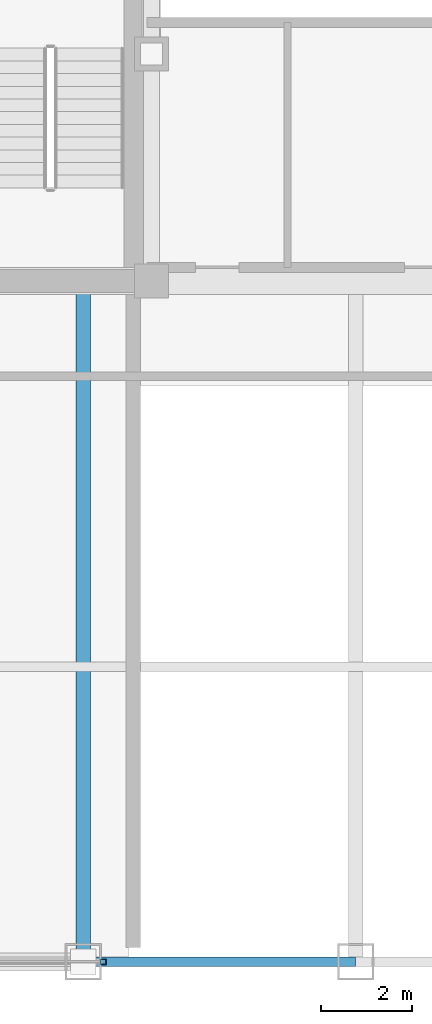
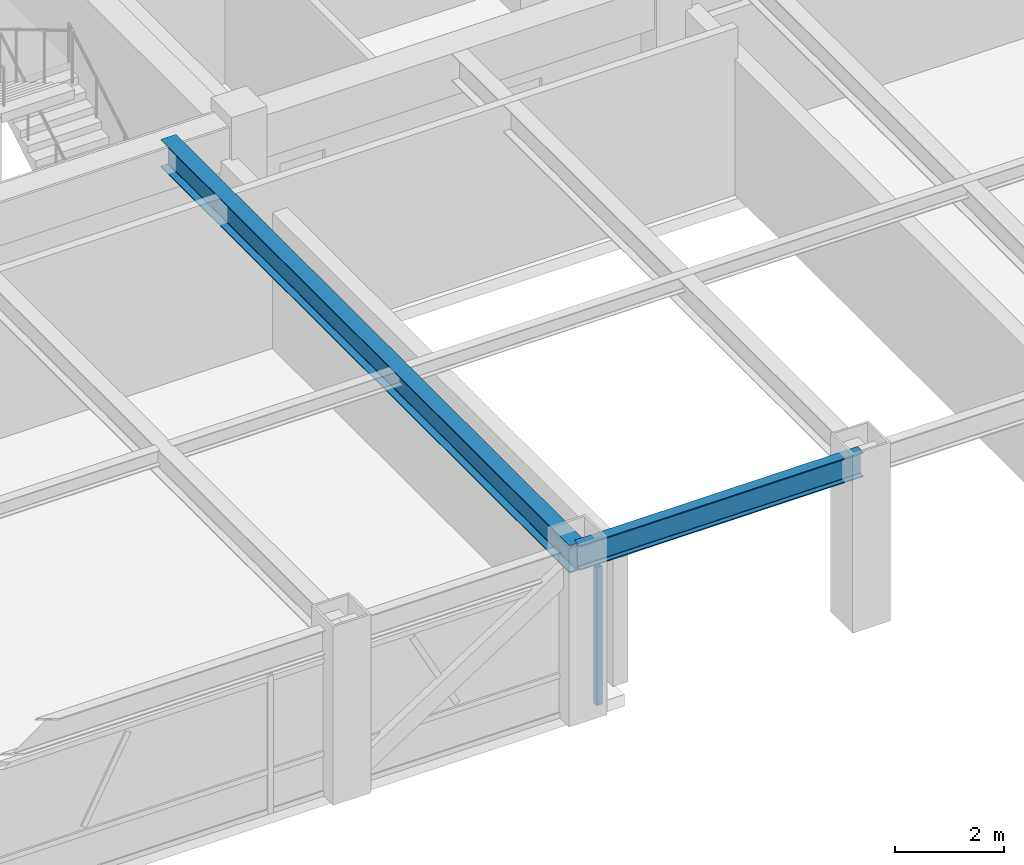
# One storey, part 4 of 29: 2 beams, 1 member, 1 element without a shape of its own.
"""IFC4 building model written with IfcOpenShell, lengths in metres."""

from ifc_helpers import new_model, si_unit, direction, frame, origin, origin_2d, place, context, subcontext, project, spatial, hollow_rectangle, i_section, extrude, source, transform, mapped, material, material_profile, profile_set, type_object, element, aggregate, save


model = new_model("IFC4")

# Units and contexts
model_context = context("Model", 3, precision=1e-05, world=origin(), true_north=direction((0.0, 1.0)))
body_context = subcontext(model_context, "Body", "Model", "MODEL_VIEW")
ifc_project = project(units=[si_unit("LENGTHUNIT", "METRE"), si_unit("AREAUNIT", "SQUARE_METRE"), si_unit("VOLUMEUNIT", "CUBIC_METRE"), si_unit("PLANEANGLEUNIT", "RADIAN"), si_unit("MASSUNIT", "GRAM", prefix="KILO")], contexts=[model_context])

# Site, building, storey
site_placement = place(None, origin())
site = spatial("IfcSite", under=ifc_project, at=site_placement, CompositionType="ELEMENT")
building_placement = place(site_placement, origin())
building = spatial("IfcBuilding", under=site, at=building_placement, Name="Khorayat Bourse Tower", CompositionType="ELEMENT")
storey_placement = place(building_placement, frame((0.0, 0.0, 354.300048828125)))
storey = spatial("IfcBuildingStorey", under=building, at=storey_placement, Name="L84", CompositionType="ELEMENT", Elevation=354.300048828125)

# Beams
ifc_material_1 = material(Name="Steel ASTM A992 Grade 50", Category="steel")
ifc_material_profile_1 = material_profile(ifc_material_1, i_section(OverallWidth=0.214111328125, OverallDepth=0.549072265625, WebThickness=0.0146484375, FlangeThickness=0.023681640625, FilletRadius=0.013916015625, at=origin_2d()), Name="W530X138")
ifc_profile_set_1 = profile_set([ifc_material_profile_1], Name="Steel ASTM A992 Grade 50")
beam_type_1 = type_object("IfcBeamType", Name="BM-SPAN-530", PredefinedType="SPANDREL", material=ifc_profile_set_1)
shared_shape_1 = source(origin(), body_context, "Body", "SweptSolid", [
    extrude(i_section(OverallWidth=0.214111328125, OverallDepth=0.549072265625, WebThickness=0.0146484375, FlangeThickness=0.023681640625, FilletRadius=0.013916015625, at=origin_2d()), origin(), (0.0, 0.0, 1.0), 6.0),
])
beam_1_placement = place(storey_placement, frame((-6.0, -26.0, 3.46533203125), z_axis=(1.0, 0.0, 0.0), x_axis=(0.0, 1.0, 0.0)))
element("IfcBeam", 1, at=beam_1_placement, inside=storey, type_object=beam_type_1, Name="L84 BM-SPAN-530 BM-L84-SPN-026", PredefinedType="SPANDREL", context=body_context, shape_type="MappedRepresentation", body=[
    mapped(shared_shape_1, transform((0.0, 0.0, 0.0), scale=1.0)),
])
ifc_material_profile_2 = material_profile(ifc_material_1, i_section(OverallWidth=0.324951171875, OverallDepth=0.615966796875, WebThickness=0.013916015625, FlangeThickness=0.021484375, FilletRadius=0.01611328125, at=origin_2d()), Name="W610X174")
ifc_profile_set_2 = profile_set([ifc_material_profile_2], Name="Steel ASTM A992 Grade 50")
beam_type_2 = type_object("IfcBeamType", Name="BM-GIRD-610", PredefinedType="BEAM", material=ifc_profile_set_2)
shared_shape_2 = source(origin(), body_context, "Body", "SweptSolid", [
    extrude(i_section(OverallWidth=0.324951171875, OverallDepth=0.615966796875, WebThickness=0.013916015625, FlangeThickness=0.021484375, FilletRadius=0.01611328125, at=origin_2d()), origin(), (0.0, 0.0, 1.0), 15.0),
])
beam_2_placement = place(storey_placement, frame((-6.0, -26.0, 3.431884765625), z_axis=(0.0, 1.0, 0.0), x_axis=(-1.0, 0.0, 0.0)))
element("IfcBeam", 2, at=beam_2_placement, inside=storey, type_object=beam_type_2, Name="L84 BM-GIRD-610 BM-L84-RADY-059", PredefinedType="BEAM", context=body_context, shape_type="MappedRepresentation", body=[
    mapped(shared_shape_2, transform((0.0, 0.0, 0.0), scale=1.0)),
])

# Curtain wall, member
ifc_material_2 = material(Name="Aluminium EN AW-6063 T6", Category="aluminium")
curtain_wall_type = type_object("IfcCurtainWallType", Name="CW-SYS-06", PredefinedType="NOTDEFINED", material=ifc_material_2)
curtain_wall_placement = place(storey_placement, origin())
curtain_wall = element("IfcCurtainWall", 3, at=curtain_wall_placement, inside=storey, type_object=curtain_wall_type, Name="L84 Curtain Wall CW-L84-S1", PredefinedType="NOTDEFINED")
ifc_material_profile_3 = material_profile(ifc_material_2, hollow_rectangle(XDim=0.1201171875, YDim=0.1201171875, WallThickness=0.0048828125, at=origin_2d()), Name="ALU 120x120x5")
ifc_profile_set_3 = profile_set([ifc_material_profile_3], Name="Aluminium EN AW-6063 T6")
member_type = type_object("IfcMemberType", Name="CWM-VERT-120", PredefinedType="MULLION", material=ifc_profile_set_3)
shared_shape_3 = source(origin(), body_context, "Body", "SweptSolid", [
    extrude(hollow_rectangle(XDim=0.1201171875, YDim=0.1201171875, WallThickness=0.0048828125, at=origin_2d()), origin(), (0.0, 0.0, 1.0), 3.08984375),
])
member_placement = place(storey_placement, frame((-5.56005859375, -26.0, 0.0), z_axis=(0.0, 0.0, 1.0), x_axis=(0.0, 1.0, 0.0)))
member = element("IfcMember", 4, at=member_placement, type_object=member_type, Name="CW-L84-S1 Vertical Mullion 3", PredefinedType="MULLION", context=body_context, shape_type="MappedRepresentation", body=[
    mapped(shared_shape_3, transform((0.0, 0.0, 0.0), scale=1.0)),
])
aggregate(curtain_wall, [member])

save(model, "model.ifc")
